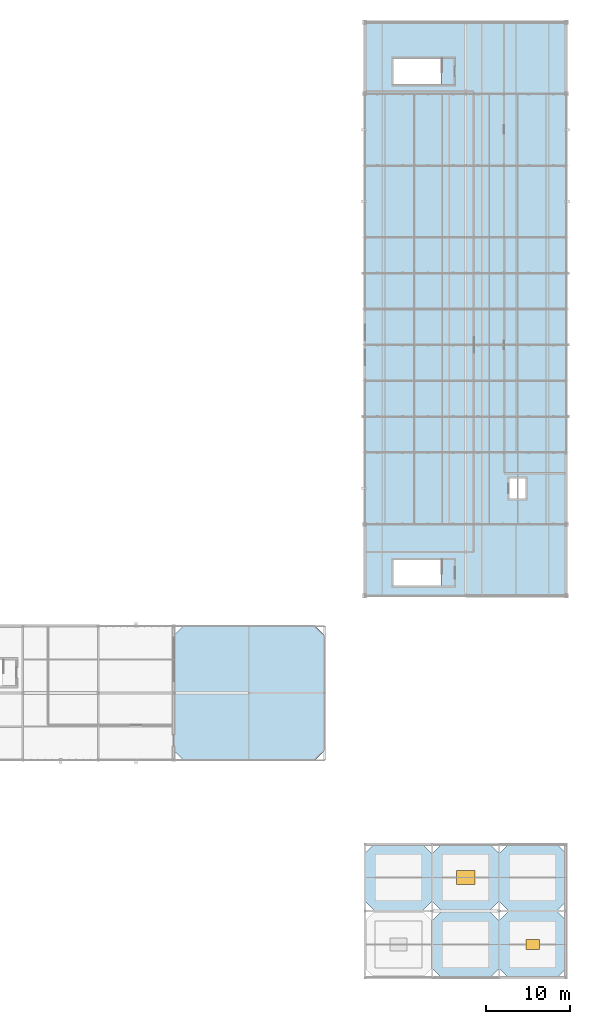
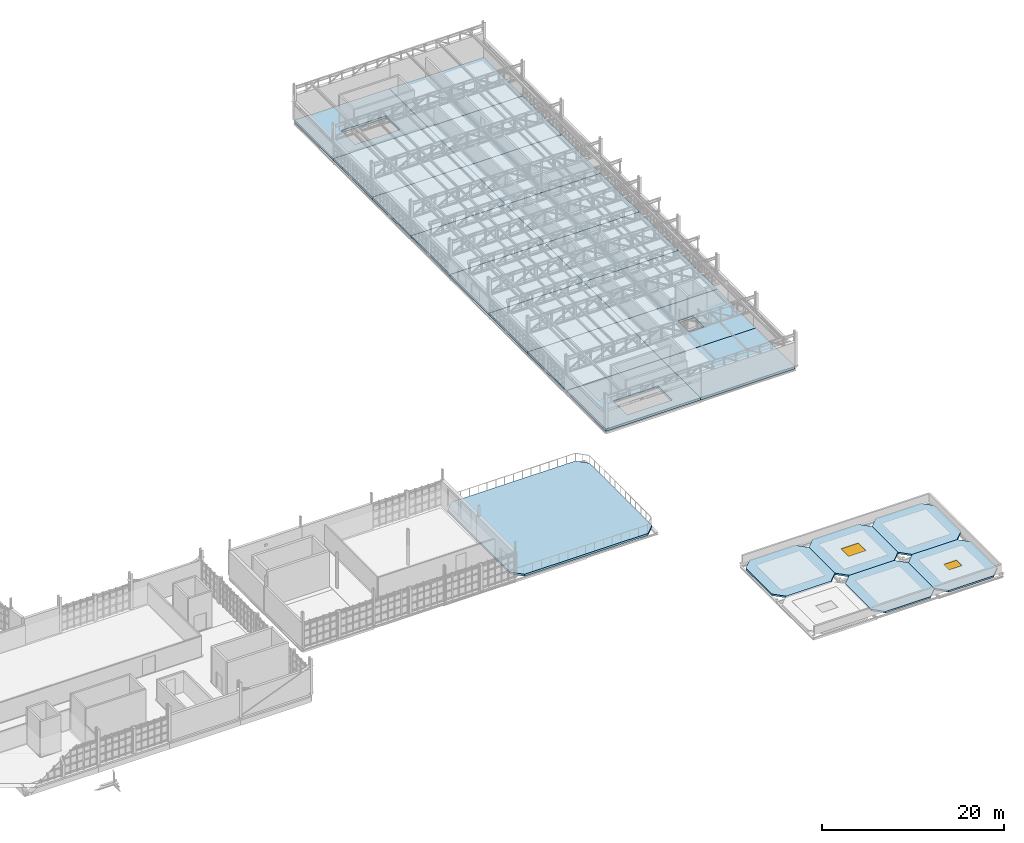
# One storey, part 95 of 128: 22 slabs, 2 windows, 2 openings.
"""IFC4 building model written with IfcOpenShell, lengths in metres."""

from ifc_helpers import new_model, si_unit, direction, frame, origin, origin_2d, place, context, subcontext, project, spatial, polyline, rectangle, outline, extrude, material, layer, layer_set, type_object, element, fill, save


model = new_model("IFC4")

# Units and contexts
model_context = context("Model", 3, precision=1e-05, world=origin(), true_north=direction((0.0, 1.0)))
body_context = subcontext(model_context, "Body", "Model", "MODEL_VIEW")
ifc_project = project(units=[si_unit("LENGTHUNIT", "METRE"), si_unit("AREAUNIT", "SQUARE_METRE"), si_unit("VOLUMEUNIT", "CUBIC_METRE"), si_unit("PLANEANGLEUNIT", "RADIAN"), si_unit("MASSUNIT", "GRAM", prefix="KILO")], contexts=[model_context])

# Site, building, storey
site_placement = place(None, origin())
site = spatial("IfcSite", under=ifc_project, at=site_placement, CompositionType="ELEMENT")
building_placement = place(site_placement, origin())
building = spatial("IfcBuilding", under=site, at=building_placement, Name="Serraforn Aerial Cableway Station", CompositionType="ELEMENT")
storey_placement = place(building_placement, frame((0.0, 0.0, 9.0)))
storey = spatial("IfcBuildingStorey", under=building, at=storey_placement, Name="L02", CompositionType="ELEMENT", Elevation=9.0)

# Slabs
ifc_material_1 = material(Name="Concrete C35/45", Category="concrete")
ifc_layer_1 = layer(ifc_material_1, 0.31494140625)
ifc_layer_set_1 = layer_set([ifc_layer_1], Name="Concrete C35/45")
slab_type_1 = type_object("IfcSlabType", Name="SLB-FLR-315", PredefinedType="FLOOR", material=ifc_layer_set_1)
slab_1_placement = place(storey_placement, frame((0.0, 0.0, -0.31494140625)))
element("IfcSlab", 1, at=slab_1_placement, inside=storey, type_object=slab_type_1, Name="Floor Slab EG-L02-1-1", PredefinedType="FLOOR", context=body_context, shape_type="SweptSolid", body=[
    extrude(outline(polyline([(144.0, 45.60009765625), (156.0, 45.60009765625), (156.0, 54.14990234375), (144.0, 54.14990234375), (144.0, 45.60009765625)]), holes=[polyline([(153.10009765625, 49.860107421875), (147.39990234375, 49.860107421875), (147.39990234375, 46.800048828125), (153.10009765625, 46.800048828125), (153.10009765625, 49.860107421875)])]), origin(), (0.0, 0.0, 1.0), 0.31494140625),
])
slab_2_placement = place(storey_placement, frame((0.0, 0.0, -0.31494140625)))
element("IfcSlab", 2, at=slab_2_placement, inside=storey, type_object=slab_type_1, Name="Floor Slab EG-L02-1-2", PredefinedType="FLOOR", context=body_context, shape_type="SweptSolid", body=[
    extrude(outline(polyline([(144.0, 54.14990234375), (156.0, 54.14990234375), (156.0, 62.699951171875), (144.0, 62.699951171875), (144.0, 54.14990234375)])), origin(), (0.0, 0.0, 1.0), 0.31494140625),
])
slab_3_placement = place(storey_placement, frame((0.0, 0.0, -0.31494140625)))
element("IfcSlab", 3, at=slab_3_placement, inside=storey, type_object=slab_type_1, Name="Floor Slab EG-L02-1-3", PredefinedType="FLOOR", context=body_context, shape_type="SweptSolid", body=[
    extrude(outline(polyline([(144.0, 62.699951171875), (156.0, 62.699951171875), (156.0, 71.25), (144.0, 71.25), (144.0, 62.699951171875)])), origin(), (0.0, 0.0, 1.0), 0.31494140625),
])
slab_4_placement = place(storey_placement, frame((0.0, 0.0, -0.31494140625)))
element("IfcSlab", 4, at=slab_4_placement, inside=storey, type_object=slab_type_1, Name="Floor Slab EG-L02-1-4", PredefinedType="FLOOR", context=body_context, shape_type="SweptSolid", body=[
    extrude(outline(polyline([(144.0, 71.25), (156.0, 71.25), (156.0, 79.800048828125), (144.0, 79.800048828125), (144.0, 71.25)])), origin(), (0.0, 0.0, 1.0), 0.31494140625),
])
slab_5_placement = place(storey_placement, frame((0.0, 0.0, -0.31494140625)))
element("IfcSlab", 5, at=slab_5_placement, inside=storey, type_object=slab_type_1, Name="Floor Slab EG-L02-1-5", PredefinedType="FLOOR", context=body_context, shape_type="SweptSolid", body=[
    extrude(outline(polyline([(144.0, 79.800048828125), (156.0, 79.800048828125), (156.0, 88.35009765625), (144.0, 88.35009765625), (144.0, 79.800048828125)])), origin(), (0.0, 0.0, 1.0), 0.31494140625),
])
slab_6_placement = place(storey_placement, frame((0.0, 0.0, -0.31494140625)))
element("IfcSlab", 6, at=slab_6_placement, inside=storey, type_object=slab_type_1, Name="Floor Slab EG-L02-1-6", PredefinedType="FLOOR", context=body_context, shape_type="SweptSolid", body=[
    extrude(outline(polyline([(144.0, 88.35009765625), (156.0, 88.35009765625), (156.0, 96.89990234375), (144.0, 96.89990234375), (144.0, 88.35009765625)])), origin(), (0.0, 0.0, 1.0), 0.31494140625),
])
slab_7_placement = place(storey_placement, frame((0.0, 0.0, -0.31494140625)))
element("IfcSlab", 7, at=slab_7_placement, inside=storey, type_object=slab_type_1, Name="Floor Slab EG-L02-1-7", PredefinedType="FLOOR", context=body_context, shape_type="SweptSolid", body=[
    extrude(outline(polyline([(144.0, 96.89990234375), (156.0, 96.89990234375), (156.0, 105.449951171875), (144.0, 105.449951171875), (144.0, 96.89990234375)])), origin(), (0.0, 0.0, 1.0), 0.31494140625),
])
slab_8_placement = place(storey_placement, frame((0.0, 0.0, -0.31494140625)))
element("IfcSlab", 8, at=slab_8_placement, inside=storey, type_object=slab_type_1, Name="Floor Slab EG-L02-1-8", PredefinedType="FLOOR", context=body_context, shape_type="SweptSolid", body=[
    extrude(outline(polyline([(144.0, 105.449951171875), (156.0, 105.449951171875), (156.0, 114.0), (144.0, 114.0), (144.0, 105.449951171875)]), holes=[polyline([(153.10009765625, 109.659912109375), (147.39990234375, 109.659912109375), (147.39990234375, 106.60009765625), (153.10009765625, 106.60009765625), (153.10009765625, 109.659912109375)])]), origin(), (0.0, 0.0, 1.0), 0.31494140625),
])
slab_9_placement = place(storey_placement, frame((0.0, 0.0, -0.31494140625)))
element("IfcSlab", 9, at=slab_9_placement, inside=storey, type_object=slab_type_1, Name="Floor Slab EG-L02-2-1", PredefinedType="FLOOR", context=body_context, shape_type="SweptSolid", body=[
    extrude(outline(polyline([(156.0, 45.60009765625), (168.0, 45.60009765625), (168.0, 54.14990234375), (156.0, 54.14990234375), (156.0, 45.60009765625)])), origin(), (0.0, 0.0, 1.0), 0.31494140625),
])
slab_10_placement = place(storey_placement, frame((0.0, 0.0, -0.31494140625)))
element("IfcSlab", 10, at=slab_10_placement, inside=storey, type_object=slab_type_1, Name="Floor Slab EG-L02-2-2", PredefinedType="FLOOR", context=body_context, shape_type="SweptSolid", body=[
    extrude(outline(polyline([(156.0, 54.14990234375), (168.0, 54.14990234375), (168.0, 62.699951171875), (156.0, 62.699951171875), (156.0, 54.14990234375)]), holes=[polyline([(161.25, 57.199951171875), (163.14990234375, 57.199951171875), (163.14990234375, 59.60009765625), (161.25, 59.60009765625), (161.25, 57.199951171875)])]), origin(), (0.0, 0.0, 1.0), 0.31494140625),
])
slab_11_placement = place(storey_placement, frame((0.0, 0.0, -0.31494140625)))
element("IfcSlab", 11, at=slab_11_placement, inside=storey, type_object=slab_type_1, Name="Floor Slab EG-L02-2-3", PredefinedType="FLOOR", context=body_context, shape_type="SweptSolid", body=[
    extrude(outline(polyline([(156.0, 62.699951171875), (168.0, 62.699951171875), (168.0, 71.25), (156.0, 71.25), (156.0, 62.699951171875)])), origin(), (0.0, 0.0, 1.0), 0.31494140625),
])
slab_12_placement = place(storey_placement, frame((0.0, 0.0, -0.31494140625)))
element("IfcSlab", 12, at=slab_12_placement, inside=storey, type_object=slab_type_1, Name="Floor Slab EG-L02-2-4", PredefinedType="FLOOR", context=body_context, shape_type="SweptSolid", body=[
    extrude(outline(polyline([(156.0, 71.25), (168.0, 71.25), (168.0, 79.800048828125), (156.0, 79.800048828125), (156.0, 71.25)])), origin(), (0.0, 0.0, 1.0), 0.31494140625),
])
slab_13_placement = place(storey_placement, frame((0.0, 0.0, -0.31494140625)))
element("IfcSlab", 13, at=slab_13_placement, inside=storey, type_object=slab_type_1, Name="Floor Slab EG-L02-2-5", PredefinedType="FLOOR", context=body_context, shape_type="SweptSolid", body=[
    extrude(outline(polyline([(156.0, 79.800048828125), (168.0, 79.800048828125), (168.0, 88.35009765625), (156.0, 88.35009765625), (156.0, 79.800048828125)])), origin(), (0.0, 0.0, 1.0), 0.31494140625),
])
slab_14_placement = place(storey_placement, frame((0.0, 0.0, -0.31494140625)))
element("IfcSlab", 14, at=slab_14_placement, inside=storey, type_object=slab_type_1, Name="Floor Slab EG-L02-2-6", PredefinedType="FLOOR", context=body_context, shape_type="SweptSolid", body=[
    extrude(outline(polyline([(156.0, 88.35009765625), (168.0, 88.35009765625), (168.0, 96.89990234375), (156.0, 96.89990234375), (156.0, 88.35009765625)])), origin(), (0.0, 0.0, 1.0), 0.31494140625),
])
slab_15_placement = place(storey_placement, frame((0.0, 0.0, -0.31494140625)))
element("IfcSlab", 15, at=slab_15_placement, inside=storey, type_object=slab_type_1, Name="Floor Slab EG-L02-2-7", PredefinedType="FLOOR", context=body_context, shape_type="SweptSolid", body=[
    extrude(outline(polyline([(156.0, 96.89990234375), (168.0, 96.89990234375), (168.0, 105.449951171875), (156.0, 105.449951171875), (156.0, 96.89990234375)])), origin(), (0.0, 0.0, 1.0), 0.31494140625),
])
slab_16_placement = place(storey_placement, frame((0.0, 0.0, -0.31494140625)))
element("IfcSlab", 16, at=slab_16_placement, inside=storey, type_object=slab_type_1, Name="Floor Slab EG-L02-2-8", PredefinedType="FLOOR", context=body_context, shape_type="SweptSolid", body=[
    extrude(outline(polyline([(156.0, 105.449951171875), (168.0, 105.449951171875), (168.0, 114.0), (156.0, 114.0), (156.0, 105.449951171875)])), origin(), (0.0, 0.0, 1.0), 0.31494140625),
])
ifc_layer_2 = layer(ifc_material_1, 0.22509765625)
ifc_layer_set_2 = layer_set([ifc_layer_2], Name="Concrete C35/45")
slab_type_2 = type_object("IfcSlabType", Name="SLB-ROOF-225", PredefinedType="ROOF", material=ifc_layer_set_2)
slab_17_placement = place(storey_placement, frame((0.0, 0.0, -0.22509765625)))
element("IfcSlab", 17, at=slab_17_placement, inside=storey, type_object=slab_type_2, Name="Roof Slab ES-L02-1-2", PredefinedType="ROOF", context=body_context, shape_type="SweptSolid", body=[
    extrude(outline(polyline([(145.14990234375, 8.0), (150.85009765625, 8.0), (152.0, 9.14990234375), (152.0, 14.85009765625), (150.85009765625, 16.0), (145.14990234375, 16.0), (144.0, 14.85009765625), (144.0, 9.14990234375), (145.14990234375, 8.0)])), origin(), (0.0, 0.0, 1.0), 0.22509765625),
])
slab_18_placement = place(storey_placement, frame((0.0, 0.0, -0.22509765625)))
element("IfcSlab", 18, at=slab_18_placement, inside=storey, type_object=slab_type_2, Name="Roof Slab ES-L02-2-1", PredefinedType="ROOF", context=body_context, shape_type="SweptSolid", body=[
    extrude(outline(polyline([(153.14990234375, 0.0), (158.85009765625, 0.0), (160.0, 1.14990234375), (160.0, 6.85009765625), (158.85009765625, 8.0), (153.14990234375, 8.0), (152.0, 6.85009765625), (152.0, 1.14990234375), (153.14990234375, 0.0)])), origin(), (0.0, 0.0, 1.0), 0.22509765625),
])

# Slab, opening, window
slab_19_placement = place(storey_placement, frame((0.0, 0.0, -0.22509765625)))
slab_19 = element("IfcSlab", 19, at=slab_19_placement, inside=storey, type_object=slab_type_2, Name="Roof Slab ES-L02-2-2", PredefinedType="ROOF", context=body_context, shape_type="SweptSolid", body=[
    extrude(outline(polyline([(153.14990234375, 8.0), (158.85009765625, 8.0), (160.0, 9.14990234375), (160.0, 14.85009765625), (158.85009765625, 16.0), (153.14990234375, 16.0), (152.0, 14.85009765625), (152.0, 9.14990234375), (153.14990234375, 8.0)]), holes=[polyline([(154.902099609375, 11.177001953125), (157.097900390625, 11.177001953125), (157.097900390625, 12.822998046875), (154.902099609375, 12.822998046875), (154.902099609375, 11.177001953125)])]), origin(), (0.0, 0.0, 1.0), 0.22509765625),
])
opening_1_placement = place(slab_19_placement, frame((156.0, 12.0, -0.010009765625)))
opening_1 = element("IfcOpeningElement", 20, at=opening_1_placement, cuts=slab_19, Name="Opening SK-04", PredefinedType="OPENING", context=body_context, shape_type="SweptSolid", body=[
    extrude(rectangle(XDim=2.199951171875, YDim=1.64990234375, at=origin_2d()), origin(), (0.0, 0.0, 1.0), 0.2451171875),
])
ifc_material_2 = material(Name="Double low-E laminated safety glass", Category="glass")
window_type_1 = type_object("IfcWindowType", Name="WIN-SKY-4", PartitioningType="SINGLE_PANEL", PredefinedType="SKYLIGHT", material=ifc_material_2)
window_1_placement = place(slab_19_placement, frame((156.0, 12.0, 0.175048828125)))
window_1 = element("IfcWindow", 21, at=window_1_placement, inside=storey, type_object=window_type_1, Name="Roof Skylight ES-L02-2-2", OverallHeight=1.64990234375, OverallWidth=2.199951171875, PartitioningType="SINGLE_PANEL", PredefinedType="SKYLIGHT", context=body_context, shape_type="SweptSolid", body=[
    extrude(rectangle(XDim=2.199951171875, YDim=1.64990234375, at=origin_2d()), origin(), (0.0, 0.0, 1.0), 0.050048828125),
])
fill(opening_1, window_1)

slab_20_placement = place(storey_placement, frame((0.0, 0.0, -0.22509765625)))
slab_20 = element("IfcSlab", 22, at=slab_20_placement, inside=storey, type_object=slab_type_2, Name="Roof Slab ES-L02-3-1", PredefinedType="ROOF", context=body_context, shape_type="SweptSolid", body=[
    extrude(outline(polyline([(161.14990234375, 0.0), (166.85009765625, 0.0), (168.0, 1.14990234375), (168.0, 6.85009765625), (166.85009765625, 8.0), (161.14990234375, 8.0), (160.0, 6.85009765625), (160.0, 1.14990234375), (161.14990234375, 0.0)]), holes=[polyline([(163.201904296875, 3.402099609375), (164.798095703125, 3.402099609375), (164.798095703125, 4.597900390625), (163.201904296875, 4.597900390625), (163.201904296875, 3.402099609375)])]), origin(), (0.0, 0.0, 1.0), 0.22509765625),
])
opening_2_placement = place(slab_20_placement, frame((164.0, 4.0, -0.010009765625)))
opening_2 = element("IfcOpeningElement", 23, at=opening_2_placement, cuts=slab_20, Name="Opening SK-01", PredefinedType="OPENING", context=body_context, shape_type="SweptSolid", body=[
    extrude(rectangle(XDim=1.60009765625, YDim=1.199951171875, at=origin_2d()), origin(), (0.0, 0.0, 1.0), 0.2451171875),
])
window_type_2 = type_object("IfcWindowType", Name="WIN-SKY-1", PartitioningType="SINGLE_PANEL", PredefinedType="SKYLIGHT", material=ifc_material_2)
window_2_placement = place(slab_20_placement, frame((164.0, 4.0, 0.175048828125)))
window_2 = element("IfcWindow", 24, at=window_2_placement, inside=storey, type_object=window_type_2, Name="Roof Skylight ES-L02-3-1", OverallHeight=1.199951171875, OverallWidth=1.60009765625, PartitioningType="SINGLE_PANEL", PredefinedType="SKYLIGHT", context=body_context, shape_type="SweptSolid", body=[
    extrude(rectangle(XDim=1.60009765625, YDim=1.199951171875, at=origin_2d()), origin(), (0.0, 0.0, 1.0), 0.050048828125),
])
fill(opening_2, window_2)

# Slabs
slab_21_placement = place(storey_placement, frame((0.0, 0.0, -0.22509765625)))
element("IfcSlab", 25, at=slab_21_placement, inside=storey, type_object=slab_type_2, Name="Roof Slab ES-L02-3-2", PredefinedType="ROOF", context=body_context, shape_type="SweptSolid", body=[
    extrude(outline(polyline([(161.14990234375, 8.0), (166.85009765625, 8.0), (168.0, 9.14990234375), (168.0, 14.85009765625), (166.85009765625, 16.0), (161.14990234375, 16.0), (160.0, 14.85009765625), (160.0, 9.14990234375), (161.14990234375, 8.0)])), origin(), (0.0, 0.0, 1.0), 0.22509765625),
])
ifc_layer_3 = layer(ifc_material_1, 0.264892578125)
ifc_layer_set_3 = layer_set([ifc_layer_3], Name="Concrete C35/45")
slab_type_3 = type_object("IfcSlabType", Name="SLB-TER-265", PredefinedType="FLOOR", material=ifc_layer_set_3)
slab_22_placement = place(storey_placement, frame((0.0, 0.0, -0.264892578125)))
element("IfcSlab", 26, at=slab_22_placement, inside=storey, type_object=slab_type_3, Name="Hillside Parkland Terrace Slab L02", PredefinedType="FLOOR", context=body_context, shape_type="SweptSolid", body=[
    extrude(outline(polyline([(122.35009765625, 26.0), (138.050048828125, 26.0), (139.199951171875, 27.14990234375), (139.199951171875, 40.85009765625), (138.050048828125, 42.0), (122.35009765625, 42.0), (121.199951171875, 40.85009765625), (121.199951171875, 27.14990234375), (122.35009765625, 26.0)])), origin(), (0.0, 0.0, 1.0), 0.264892578125),
])

save(model, "model.ifc")
